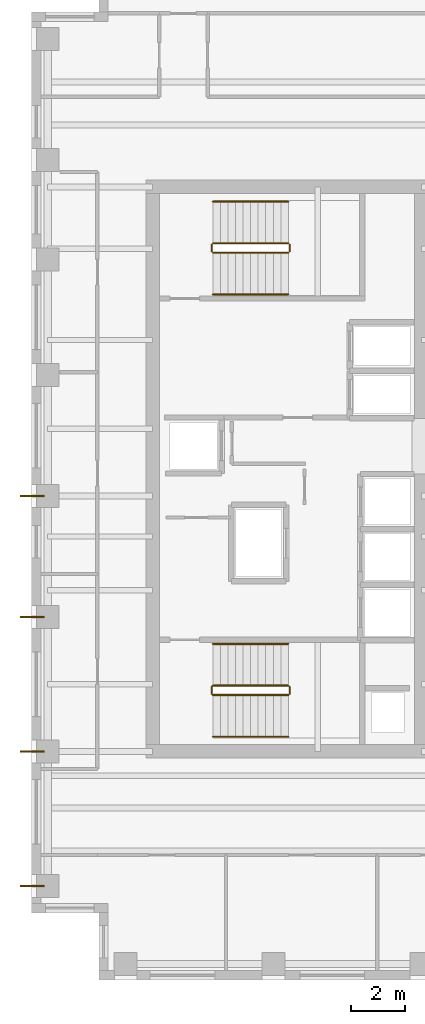
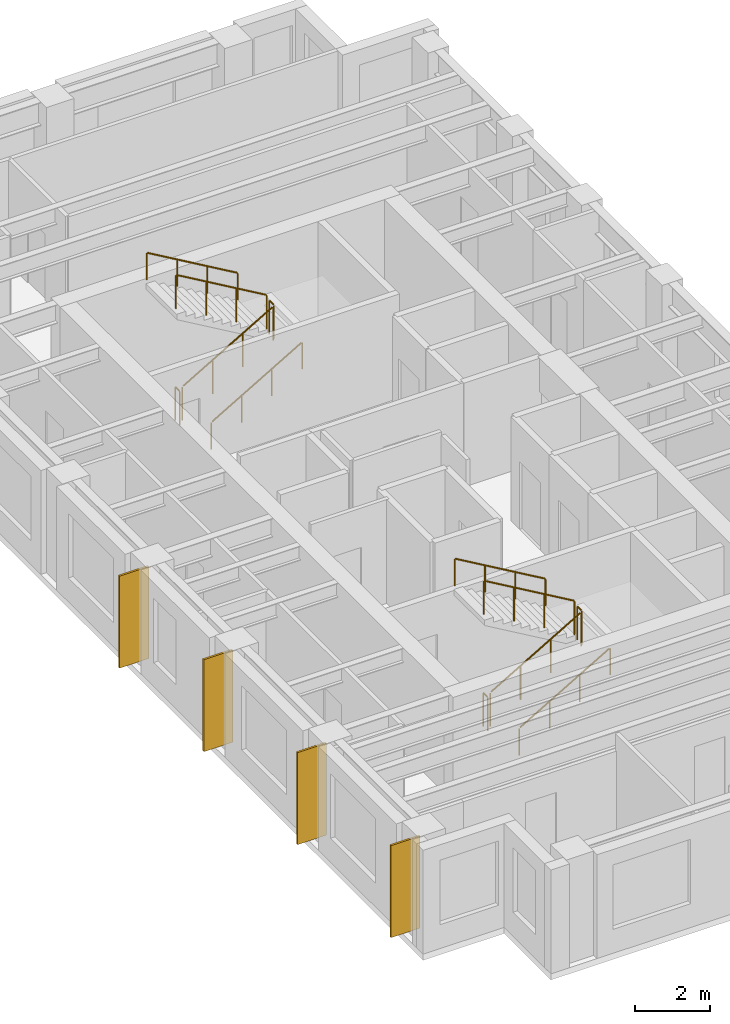
# One storey, part 9 of 10: 12 railings, 4 coverings.
"""IFC4 building model written with IfcOpenShell, lengths in metres."""

from ifc_helpers import new_model, si_unit, direction, frame, origin, origin_2d, place, context, subcontext, project, spatial, rectangle, circle, extrude, source, transform, mapped, material, layer, layer_set, type_object, element, save


model = new_model("IFC4")

# Units and contexts
model_context = context("Model", 3, precision=1e-05, world=origin(), true_north=direction((0.0, 1.0)))
body_context = subcontext(model_context, "Body", "Model", "MODEL_VIEW")
ifc_project = project(units=[si_unit("LENGTHUNIT", "METRE"), si_unit("AREAUNIT", "SQUARE_METRE"), si_unit("VOLUMEUNIT", "CUBIC_METRE"), si_unit("PLANEANGLEUNIT", "RADIAN"), si_unit("MASSUNIT", "GRAM", prefix="KILO")], contexts=[model_context])

# Site, building, storey
site_placement = place(None, origin())
site = spatial("IfcSite", under=ifc_project, at=site_placement, CompositionType="ELEMENT")
building_placement = place(site_placement, origin())
building = spatial("IfcBuilding", under=site, at=building_placement, Name="Kharzan Plaza Tower", CompositionType="ELEMENT")
storey_placement = place(building_placement, frame((0.0, 0.0, 230.39990234375)))
storey = spatial("IfcBuildingStorey", under=building, at=storey_placement, Name="L62", CompositionType="ELEMENT", Elevation=230.39990234375)

# Railings
ifc_material_1 = material(Name="Painted Galvanized Architectural Steel", Category="steel")
ifc_layer_1 = layer(ifc_material_1, 0.074951171875)
ifc_layer_set_1 = layer_set([ifc_layer_1], Name="Painted Galvanized Architectural Steel")
railing_type_1 = type_object("IfcRailingType", Name="RL-GUARD-1120", PredefinedType="BALUSTRADE", material=ifc_layer_set_1)
shared_shape_1 = source(origin(), body_context, "Body", "SweptSolid", [
    extrude(circle(Radius=0.02392578125, at=origin_2d()), frame((0.0, 0.0263671875, 1.09619140625), z_axis=(0.0, 1.0, 0.0), x_axis=(-1.0, 0.0, 0.0)), (0.0, 0.0, 1.0), 0.197021484375),
    extrude(circle(Radius=0.02099609375, at=origin_2d()), origin(), (0.0, 0.0, 1.0), 1.072021484375),
    extrude(circle(Radius=0.02099609375, at=origin_2d()), frame((0.0, 0.25, 0.0)), (0.0, 0.0, 1.0), 1.072021484375),
])
for number, where, name in (
    (1, (9.60009765625, 10.64990234375, 1.800048828125), "L62 ST-1 stair guard 2"),
    (2, (6.699951171875, 10.64990234375, 0.0), "L62 ST-1 stair guard 4"),
    (3, (9.60009765625, 27.10009765625, 1.800048828125), "L62 ST-2 stair guard 2"),
    (4, (6.699951171875, 27.10009765625, 0.0), "L62 ST-2 stair guard 4"),
):
    element("IfcRailing", number, at=place(storey_placement, frame(where)), inside=storey, type_object=railing_type_1, Name=name, PredefinedType="BALUSTRADE", context=body_context, shape_type="MappedRepresentation", body=[
        mapped(shared_shape_1, transform((0.0, 0.0, 0.0), x_axis=(1.0, 0.0, 0.0), y_axis=(0.0, 1.0, 0.0), z_axis=(0.0, 0.0, 1.0))),
    ])

# Coverings
ifc_material_2 = material(Name="Honed Riyadh Limestone", Category="masonry")
ifc_layer_2 = layer(ifc_material_2, 0.06005859375)
ifc_layer_set_2 = layer_set([ifc_layer_2], Name="Honed Riyadh Limestone")
covering_type = type_object("IfcCoveringType", Name="COV-CLAD-STONE", PredefinedType="CLADDING", material=ifc_layer_set_2)
shared_shape_2 = source(origin(), body_context, "Body", "SweptSolid", [
    extrude(rectangle(XDim=0.06005859375, YDim=0.89990234375, at=origin_2d()), origin(), (0.0, 0.0, 1.0), 3.0),
])
for number, where, z_axis, x_axis, name in (
    (5, (0.02001953125, 13.5, 0.10009765625), (0.0, 0.0, 1.0), (0.0, 1.0, 0.0), "L62 Limestone Pier Rainscreen Cladding TCW-135"),
    (6, (0.02001953125, 18.0, 0.10009765625), (0.0, 0.0, 1.0), (0.0, 1.0, 0.0), "L62 Limestone Pier Rainscreen Cladding TCW-180"),
    (7, (0.02001953125, 3.5, 0.10009765625), (0.0, 0.0, 1.0), (0.0, 1.0, 0.0), "L62 Limestone Pier Rainscreen Cladding TCW-35"),
    (8, (0.02001953125, 8.5, 0.10009765625), (0.0, 0.0, 1.0), (0.0, 1.0, 0.0), "L62 Limestone Pier Rainscreen Cladding TCW-85"),
):
    element("IfcCovering", number, at=place(storey_placement, frame(where, z_axis=z_axis, x_axis=x_axis)), inside=storey, type_object=covering_type, Name=name, PredefinedType="CLADDING", context=body_context, shape_type="MappedRepresentation", body=[
        mapped(shared_shape_2, transform((0.0, 0.0, 0.0), x_axis=(1.0, 0.0, 0.0), y_axis=(0.0, 1.0, 0.0), z_axis=(0.0, 0.0, 1.0))),
    ])

# Railings
shared_shape_3 = source(origin(), body_context, "Body", "SweptSolid", [
    extrude(circle(Radius=0.02392578125, at=origin_2d()), frame((-0.02294921875, 0.0, 1.109375), z_axis=(-0.863360870873, 0.0, 0.504586966384), x_axis=(0.0, -1.0, 0.0)), (0.0, 0.0, 1.0), 3.190185546875),
    extrude(circle(Radius=0.02099609375, at=origin_2d()), origin(), (0.0, 0.0, 1.0), 1.072021484375),
    extrude(circle(Radius=0.02099609375, at=origin_2d()), frame((-0.933349609375, 0.0, 0.54541015625)), (0.0, 0.0, 1.0), 1.072021484375),
    extrude(circle(Radius=0.02099609375, at=origin_2d()), frame((-1.86669921875, 0.0, 1.091064453125)), (0.0, 0.0, 1.0), 1.072021484375),
    extrude(circle(Radius=0.02099609375, at=origin_2d()), frame((-2.800048828125, 0.0, 1.636474609375)), (0.0, 0.0, 1.0), 1.072021484375),
])
for number, where, name in (
    (9, (9.550048828125, 10.949951171875, 1.963623046875), "L62 ST-1 stair guard 3"),
    (10, (9.550048828125, 27.39990234375, 1.963623046875), "L62 ST-2 stair guard 3"),
):
    element("IfcRailing", number, at=place(storey_placement, frame(where)), inside=storey, type_object=railing_type_1, Name=name, PredefinedType="BALUSTRADE", context=body_context, shape_type="MappedRepresentation", body=[
        mapped(shared_shape_3, transform((0.0, 0.0, 0.0), x_axis=(1.0, 0.0, 0.0), y_axis=(0.0, 1.0, 0.0), z_axis=(0.0, 0.0, 1.0))),
    ])
ifc_material_3 = material(Name="Brushed Stainless Steel", Category="steel")
ifc_layer_3 = layer(ifc_material_3, 0.050048828125)
ifc_layer_set_3 = layer_set([ifc_layer_3], Name="Brushed Stainless Steel")
railing_type_2 = type_object("IfcRailingType", Name="RL-STAIR-HR920", PredefinedType="HANDRAIL", material=ifc_layer_set_3)
shared_shape_4 = source(origin(), body_context, "Body", "SweptSolid", [
    extrude(circle(Radius=0.02392578125, at=origin_2d()), frame((-0.02294921875, 0.0, 0.88916015625), z_axis=(-0.863360870873, 0.0, 0.504586966384), x_axis=(0.0, -1.0, 0.0)), (0.0, 0.0, 1.0), 3.190185546875),
    extrude(circle(Radius=0.02099609375, at=origin_2d()), origin(), (0.0, 0.0, 1.0), 0.851806640625),
    extrude(circle(Radius=0.02099609375, at=origin_2d()), frame((-0.933349609375, 0.0, 0.54541015625)), (0.0, 0.0, 1.0), 0.851806640625),
    extrude(circle(Radius=0.02099609375, at=origin_2d()), frame((-1.86669921875, 0.0, 1.091064453125)), (0.0, 0.0, 1.0), 0.851806640625),
    extrude(circle(Radius=0.02099609375, at=origin_2d()), frame((-2.800048828125, 0.0, 1.636474609375)), (0.0, 0.0, 1.0), 0.851806640625),
])
for number, where, name in (
    (11, (9.550048828125, 12.5, 1.963623046875), "L62 ST-1 stair handrail 2"),
    (12, (9.550048828125, 28.949951171875, 1.963623046875), "L62 ST-2 stair handrail 2"),
):
    element("IfcRailing", number, at=place(storey_placement, frame(where)), inside=storey, type_object=railing_type_2, Name=name, PredefinedType="HANDRAIL", context=body_context, shape_type="MappedRepresentation", body=[
        mapped(shared_shape_4, transform((0.0, 0.0, 0.0), x_axis=(1.0, 0.0, 0.0), y_axis=(0.0, 1.0, 0.0), z_axis=(0.0, 0.0, 1.0))),
    ])
shared_shape_5 = source(origin(), body_context, "Body", "SweptSolid", [
    extrude(circle(Radius=0.02392578125, at=origin_2d()), frame((0.02294921875, 0.0, 1.109375), z_axis=(0.863393664356, 0.0, 0.504530851732), x_axis=(0.0, 1.0, 0.0)), (0.0, 0.0, 1.0), 3.190185546875),
    extrude(circle(Radius=0.02099609375, at=origin_2d()), origin(), (0.0, 0.0, 1.0), 1.072021484375),
    extrude(circle(Radius=0.02099609375, at=origin_2d()), frame((0.933349609375, 0.0, 0.54541015625)), (0.0, 0.0, 1.0), 1.072021484375),
    extrude(circle(Radius=0.02099609375, at=origin_2d()), frame((1.86669921875, 0.0, 1.0908203125)), (0.0, 0.0, 1.0), 1.072021484375),
    extrude(circle(Radius=0.02099609375, at=origin_2d()), frame((2.800048828125, 0.0, 1.63623046875)), (0.0, 0.0, 1.0), 1.072021484375),
])
for number, where, name in (
    (13, (6.75, 10.60009765625, 0.163818359375), "L62 ST-1 stair guard 1"),
    (14, (6.75, 27.050048828125, 0.163818359375), "L62 ST-2 stair guard 1"),
):
    element("IfcRailing", number, at=place(storey_placement, frame(where)), inside=storey, type_object=railing_type_1, Name=name, PredefinedType="BALUSTRADE", context=body_context, shape_type="MappedRepresentation", body=[
        mapped(shared_shape_5, transform((0.0, 0.0, 0.0), x_axis=(1.0, 0.0, 0.0), y_axis=(0.0, 1.0, 0.0), z_axis=(0.0, 0.0, 1.0))),
    ])
shared_shape_6 = source(origin(), body_context, "Body", "SweptSolid", [
    extrude(circle(Radius=0.02392578125, at=origin_2d()), frame((0.02294921875, 0.0, 0.88916015625), z_axis=(0.863393664356, 0.0, 0.504530851732), x_axis=(0.0, 1.0, 0.0)), (0.0, 0.0, 1.0), 3.190185546875),
    extrude(circle(Radius=0.02099609375, at=origin_2d()), origin(), (0.0, 0.0, 1.0), 0.851806640625),
    extrude(circle(Radius=0.02099609375, at=origin_2d()), frame((0.933349609375, 0.0, 0.54541015625)), (0.0, 0.0, 1.0), 0.851806640625),
    extrude(circle(Radius=0.02099609375, at=origin_2d()), frame((1.86669921875, 0.0, 1.0908203125)), (0.0, 0.0, 1.0), 0.851806640625),
    extrude(circle(Radius=0.02099609375, at=origin_2d()), frame((2.800048828125, 0.0, 1.63623046875)), (0.0, 0.0, 1.0), 0.851806640625),
])
for number, where, name in (
    (15, (6.75, 9.050048828125, 0.163818359375), "L62 ST-1 stair handrail 1"),
    (16, (6.75, 25.5, 0.163818359375), "L62 ST-2 stair handrail 1"),
):
    element("IfcRailing", number, at=place(storey_placement, frame(where)), inside=storey, type_object=railing_type_2, Name=name, PredefinedType="HANDRAIL", context=body_context, shape_type="MappedRepresentation", body=[
        mapped(shared_shape_6, transform((0.0, 0.0, 0.0), x_axis=(1.0, 0.0, 0.0), y_axis=(0.0, 1.0, 0.0), z_axis=(0.0, 0.0, 1.0))),
    ])

save(model, "model.ifc")
